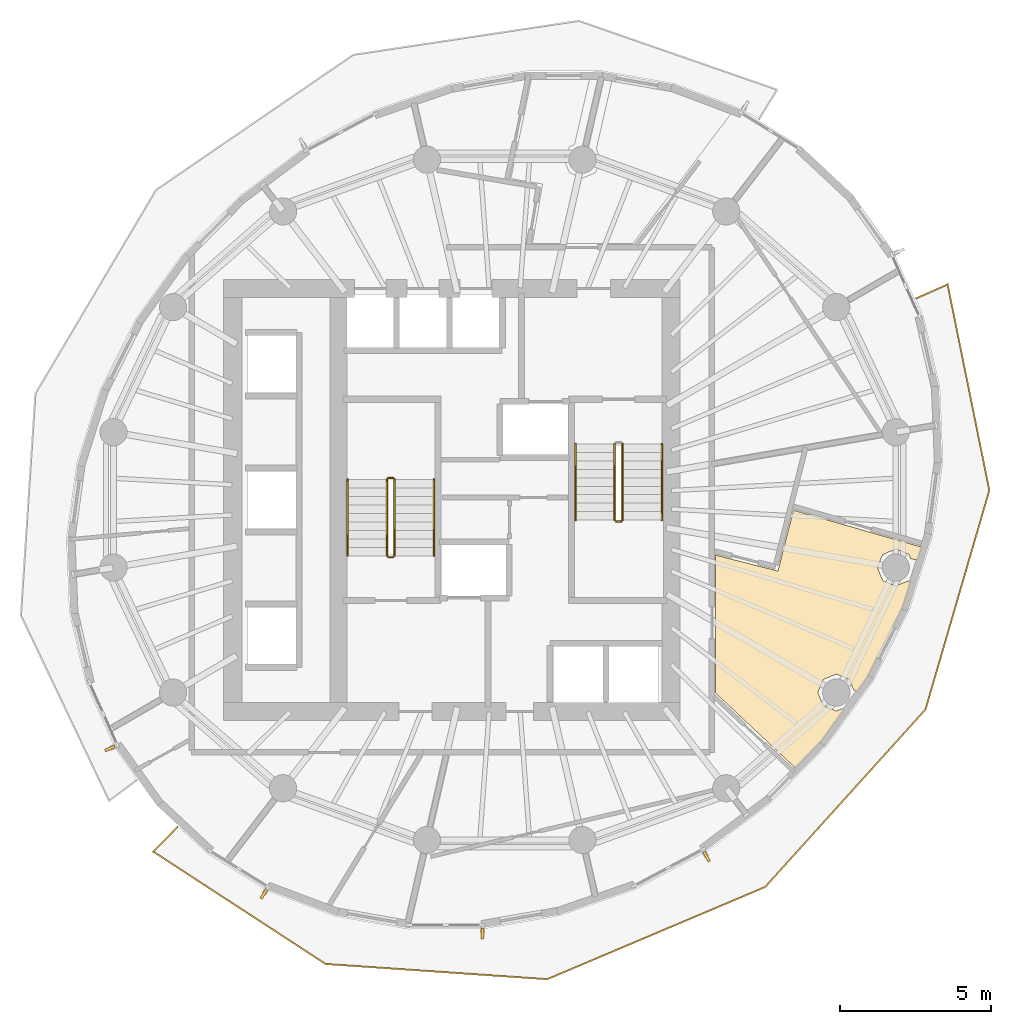
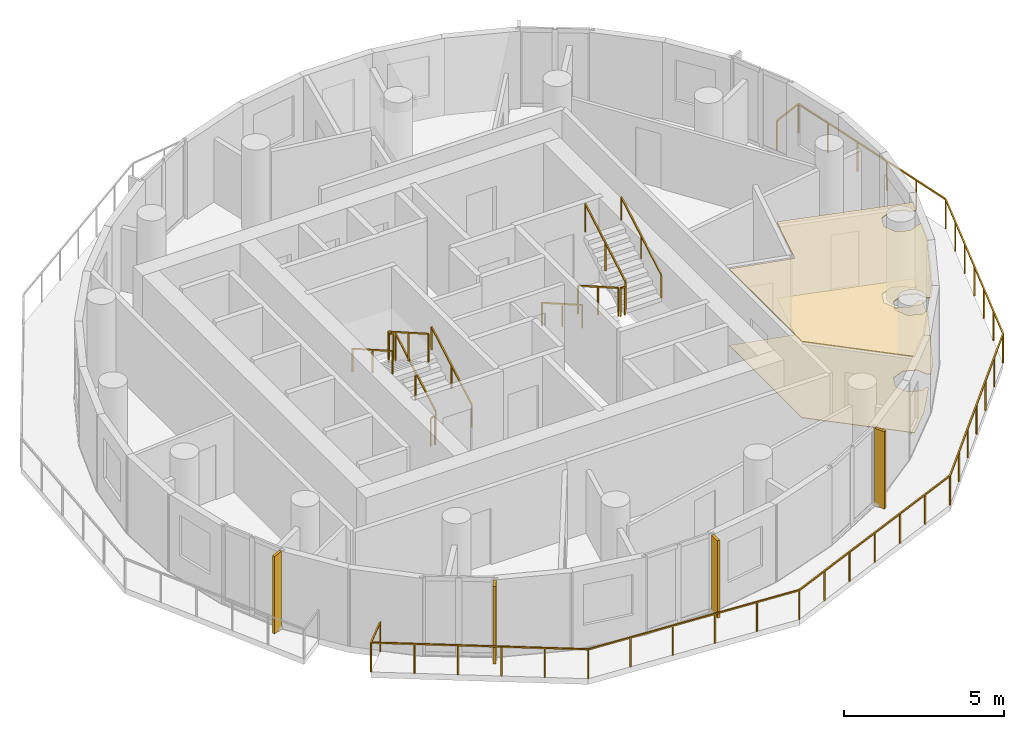
# One storey, part 8 of 10: 12 railings, 4 shading devices, 2 coverings.
"""IFC4 building model written with IfcOpenShell, lengths in metres."""

from ifc_helpers import new_model, si_unit, direction, frame, origin, origin_2d, place, context, subcontext, project, spatial, polyline, rectangle, outline, extrude, material, layer, layer_set, type_object, element, save


model = new_model("IFC4")

# Units and contexts
model_context = context("Model", 3, precision=1e-05, world=origin(), true_north=direction((0.0, 1.0)))
body_context = subcontext(model_context, "Body", "Model", "MODEL_VIEW")
ifc_project = project(units=[si_unit("LENGTHUNIT", "METRE"), si_unit("AREAUNIT", "SQUARE_METRE"), si_unit("VOLUMEUNIT", "CUBIC_METRE"), si_unit("PLANEANGLEUNIT", "RADIAN"), si_unit("MASSUNIT", "GRAM", prefix="KILO")], contexts=[model_context])

# Site, building, storey
site_placement = place(None, origin())
site = spatial("IfcSite", under=ifc_project, at=site_placement, CompositionType="ELEMENT")
building_placement = place(site_placement, origin())
building = spatial("IfcBuilding", under=site, at=building_placement, Name="Veldorim Arch Residences", CompositionType="ELEMENT")
storey_placement = place(building_placement, frame((0.0, 0.0, 166.239990234375)))
storey = spatial("IfcBuildingStorey", under=building, at=storey_placement, Name="L49", CompositionType="ELEMENT", Elevation=166.239990234375)

# Railings
ifc_material_1 = material(Name="Aluminium", Category="aluminium")
railing_type_1 = type_object("IfcRailingType", Name="Balcony & Terrace Laminated Glass Balustrade 1150", PredefinedType="BALUSTRADE", material=ifc_material_1)
railing_1_placement = place(storey_placement, frame((21.172607421875, 13.17724609375, 0.0)))
element("IfcRailing", 1, at=railing_1_placement, inside=storey, type_object=railing_type_1, Name="L49 crescent balcony safety balustrade B", PredefinedType="BALUSTRADE", context=body_context, shape_type="SweptSolid", body=[
    extrude(rectangle(XDim=0.048095703125, YDim=0.048095703125, at=origin_2d()), frame((0.0, 0.0, 1.1259765625), z_axis=(-0.700173288971, -0.713972944454, 0.0), x_axis=(0.713972944454, -0.700173288971, 0.0)), (0.0, 0.0, 1.0), 1.14990234375),
    extrude(rectangle(XDim=0.048095703125, YDim=0.048095703125, at=origin_2d()), frame((-0.80517578125, -0.821044921875, 1.1259765625), z_axis=(0.837688338332, -0.546148558382, 0.0), x_axis=(0.546148558382, 0.837688338332, 0.0)), (0.0, 0.0, 1.0), 6.80908203125),
    extrude(rectangle(XDim=0.048095703125, YDim=0.048095703125, at=origin_2d()), frame((4.898681640625, -4.539794921875, 1.1259765625), z_axis=(0.997644680332, -0.068593671764, 0.0), x_axis=(0.068593671764, 0.997644680332, 0.0)), (0.0, 0.0, 1.0), 7.35693359375),
    extrude(rectangle(XDim=0.048095703125, YDim=0.048095703125, at=origin_2d()), frame((12.23828125, -5.04443359375, 1.1259765625), z_axis=(0.920939712465, 0.389705075673, 0.0), x_axis=(-0.389705075673, 0.920939712465, 0.0)), (0.0, 0.0, 1.0), 7.83154296875),
    extrude(rectangle(XDim=0.048095703125, YDim=0.048095703125, at=origin_2d()), frame((19.45068359375, -1.992431640625, 1.1259765625), z_axis=(0.670326238201, 0.742066529618, 0.0), x_axis=(-0.742066529618, 0.670326238201, 0.0)), (0.0, 0.0, 1.0), 7.9189453125),
    extrude(rectangle(XDim=0.048095703125, YDim=0.048095703125, at=origin_2d()), frame((24.759033203125, 3.884033203125, 1.1259765625), z_axis=(0.279642617111, 0.960104164503, 0.0), x_axis=(-0.960104164503, 0.279642617111, 0.0)), (0.0, 0.0, 1.0), 7.555419921875),
    extrude(rectangle(XDim=0.048095703125, YDim=0.048095703125, at=origin_2d()), frame((26.871826171875, 11.137939453125, 1.1259765625), z_axis=(-0.198747614893, 0.980050705614, 0.0), x_axis=(-0.980050705614, -0.198747614893, 0.0)), (0.0, 0.0, 1.0), 6.956298828125),
    extrude(rectangle(XDim=0.048095703125, YDim=0.048095703125, at=origin_2d()), frame((25.4892578125, 17.95556640625, 1.1259765625), z_axis=(-0.913802793159, -0.406158165268, 0.0), x_axis=(0.406158165268, -0.913802793159, 0.0)), (0.0, 0.0, 1.0), 1.14990234375),
    extrude(rectangle(XDim=0.0419921875, YDim=0.0419921875, at=origin_2d()), origin(), (0.0, 0.0, 1.0), 1.101806640625),
    extrude(rectangle(XDim=0.0419921875, YDim=0.0419921875, at=origin_2d()), frame((-0.80517578125, -0.821044921875, 0.0)), (0.0, 0.0, 1.0), 1.101806640625),
    extrude(rectangle(XDim=0.0419921875, YDim=0.0419921875, at=origin_2d()), frame((0.335693359375, -1.564697265625, 0.0)), (0.0, 0.0, 1.0), 1.101806640625),
    extrude(rectangle(XDim=0.0419921875, YDim=0.0419921875, at=origin_2d()), frame((1.476318359375, -2.30859375, 0.0)), (0.0, 0.0, 1.0), 1.101806640625),
    extrude(rectangle(XDim=0.0419921875, YDim=0.0419921875, at=origin_2d()), frame((2.6171875, -3.05224609375, 0.0)), (0.0, 0.0, 1.0), 1.101806640625),
    extrude(rectangle(XDim=0.0419921875, YDim=0.0419921875, at=origin_2d()), frame((3.7578125, -3.796142578125, 0.0)), (0.0, 0.0, 1.0), 1.101806640625),
    extrude(rectangle(XDim=0.0419921875, YDim=0.0419921875, at=origin_2d()), frame((4.898681640625, -4.539794921875, 0.0)), (0.0, 0.0, 1.0), 1.101806640625),
    extrude(rectangle(XDim=0.0419921875, YDim=0.0419921875, at=origin_2d()), frame((6.36669921875, -4.640625, 0.0)), (0.0, 0.0, 1.0), 1.101806640625),
    extrude(rectangle(XDim=0.0419921875, YDim=0.0419921875, at=origin_2d()), frame((7.83447265625, -4.74169921875, 0.0)), (0.0, 0.0, 1.0), 1.101806640625),
    extrude(rectangle(XDim=0.0419921875, YDim=0.0419921875, at=origin_2d()), frame((9.302490234375, -4.842529296875, 0.0)), (0.0, 0.0, 1.0), 1.101806640625),
    extrude(rectangle(XDim=0.0419921875, YDim=0.0419921875, at=origin_2d()), frame((10.770263671875, -4.943603515625, 0.0)), (0.0, 0.0, 1.0), 1.101806640625),
    extrude(rectangle(XDim=0.0419921875, YDim=0.0419921875, at=origin_2d()), frame((12.23828125, -5.04443359375, 0.0)), (0.0, 0.0, 1.0), 1.101806640625),
    extrude(rectangle(XDim=0.0419921875, YDim=0.0419921875, at=origin_2d()), frame((13.4404296875, -4.53564453125, 0.0)), (0.0, 0.0, 1.0), 1.101806640625),
    extrude(rectangle(XDim=0.0419921875, YDim=0.0419921875, at=origin_2d()), frame((14.642333984375, -4.027099609375, 0.0)), (0.0, 0.0, 1.0), 1.101806640625),
    extrude(rectangle(XDim=0.0419921875, YDim=0.0419921875, at=origin_2d()), frame((15.844482421875, -3.5185546875, 0.0)), (0.0, 0.0, 1.0), 1.101806640625),
    extrude(rectangle(XDim=0.0419921875, YDim=0.0419921875, at=origin_2d()), frame((17.046630859375, -3.009765625, 0.0)), (0.0, 0.0, 1.0), 1.101806640625),
    extrude(rectangle(XDim=0.0419921875, YDim=0.0419921875, at=origin_2d()), frame((18.24853515625, -2.5009765625, 0.0)), (0.0, 0.0, 1.0), 1.101806640625),
    extrude(rectangle(XDim=0.0419921875, YDim=0.0419921875, at=origin_2d()), frame((19.45068359375, -1.992431640625, 0.0)), (0.0, 0.0, 1.0), 1.101806640625),
    extrude(rectangle(XDim=0.0419921875, YDim=0.0419921875, at=origin_2d()), frame((20.33544921875, -1.012939453125, 0.0)), (0.0, 0.0, 1.0), 1.101806640625),
    extrude(rectangle(XDim=0.0419921875, YDim=0.0419921875, at=origin_2d()), frame((21.22021484375, -0.03369140625, 0.0)), (0.0, 0.0, 1.0), 1.101806640625),
    extrude(rectangle(XDim=0.0419921875, YDim=0.0419921875, at=origin_2d()), frame((22.10498046875, 0.94580078125, 0.0)), (0.0, 0.0, 1.0), 1.101806640625),
    extrude(rectangle(XDim=0.0419921875, YDim=0.0419921875, at=origin_2d()), frame((22.989501953125, 1.92529296875, 0.0)), (0.0, 0.0, 1.0), 1.101806640625),
    extrude(rectangle(XDim=0.0419921875, YDim=0.0419921875, at=origin_2d()), frame((23.874267578125, 2.904541015625, 0.0)), (0.0, 0.0, 1.0), 1.101806640625),
    extrude(rectangle(XDim=0.0419921875, YDim=0.0419921875, at=origin_2d()), frame((24.759033203125, 3.884033203125, 0.0)), (0.0, 0.0, 1.0), 1.101806640625),
    extrude(rectangle(XDim=0.0419921875, YDim=0.0419921875, at=origin_2d()), frame((25.111083984375, 5.093017578125, 0.0)), (0.0, 0.0, 1.0), 1.101806640625),
    extrude(rectangle(XDim=0.0419921875, YDim=0.0419921875, at=origin_2d()), frame((25.46337890625, 6.302001953125, 0.0)), (0.0, 0.0, 1.0), 1.101806640625),
    extrude(rectangle(XDim=0.0419921875, YDim=0.0419921875, at=origin_2d()), frame((25.8154296875, 7.510986328125, 0.0)), (0.0, 0.0, 1.0), 1.101806640625),
    extrude(rectangle(XDim=0.0419921875, YDim=0.0419921875, at=origin_2d()), frame((26.16748046875, 8.719970703125, 0.0)), (0.0, 0.0, 1.0), 1.101806640625),
    extrude(rectangle(XDim=0.0419921875, YDim=0.0419921875, at=origin_2d()), frame((26.519775390625, 9.928955078125, 0.0)), (0.0, 0.0, 1.0), 1.101806640625),
    extrude(rectangle(XDim=0.0419921875, YDim=0.0419921875, at=origin_2d()), frame((26.871826171875, 11.137939453125, 0.0)), (0.0, 0.0, 1.0), 1.101806640625),
    extrude(rectangle(XDim=0.0419921875, YDim=0.0419921875, at=origin_2d()), frame((26.59521484375, 12.50146484375, 0.0)), (0.0, 0.0, 1.0), 1.101806640625),
    extrude(rectangle(XDim=0.0419921875, YDim=0.0419921875, at=origin_2d()), frame((26.31884765625, 13.864990234375, 0.0)), (0.0, 0.0, 1.0), 1.101806640625),
    extrude(rectangle(XDim=0.0419921875, YDim=0.0419921875, at=origin_2d()), frame((26.042236328125, 15.228515625, 0.0)), (0.0, 0.0, 1.0), 1.101806640625),
    extrude(rectangle(XDim=0.0419921875, YDim=0.0419921875, at=origin_2d()), frame((25.765869140625, 16.592041015625, 0.0)), (0.0, 0.0, 1.0), 1.101806640625),
    extrude(rectangle(XDim=0.0419921875, YDim=0.0419921875, at=origin_2d()), frame((25.4892578125, 17.95556640625, 0.0)), (0.0, 0.0, 1.0), 1.101806640625),
    extrude(rectangle(XDim=0.0419921875, YDim=0.0419921875, at=origin_2d()), frame((24.4384765625, 17.488525390625, 0.0)), (0.0, 0.0, 1.0), 1.101806640625),
])
ifc_material_2 = material(Name="Steel S355", Category="steel")
railing_type_2 = type_object("IfcRailingType", Name="Galvanised Steel Stair Safety Guardrail 1100", PredefinedType="GUARDRAIL", material=ifc_material_2)
railing_2_placement = place(storey_placement, frame((28.360107421875, 22.14990234375, 0.159912109375)))
element("IfcRailing", 2, at=railing_2_placement, inside=storey, type_object=railing_type_2, Name="L49 ST-1 stair guard 1", PredefinedType="GUARDRAIL", context=body_context, shape_type="SweptSolid", body=[
    extrude(rectangle(XDim=0.048095703125, YDim=0.048095703125, at=origin_2d()), frame((0.0, 0.0, 1.076171875), z_axis=(0.0, 0.868217259934, 0.496184229447), x_axis=(-1.0, 0.0, 0.0)), (0.0, 0.0, 1.0), 2.902587890625),
    extrude(rectangle(XDim=0.0419921875, YDim=0.0419921875, at=origin_2d()), origin(), (0.0, 0.0, 1.0), 1.052001953125),
    extrude(rectangle(XDim=0.0419921875, YDim=0.0419921875, at=origin_2d()), frame((0.0, 1.260009765625, 0.72021484375)), (0.0, 0.0, 1.0), 1.052001953125),
    extrude(rectangle(XDim=0.0419921875, YDim=0.0419921875, at=origin_2d()), frame((0.0, 2.52001953125, 1.440185546875)), (0.0, 0.0, 1.0), 1.052001953125),
])
railing_3_placement = place(storey_placement, frame((28.31005859375, 24.719970703125, 1.60009765625)))
element("IfcRailing", 3, at=railing_3_placement, inside=storey, type_object=railing_type_2, Name="L49 ST-1 stair guard 2", PredefinedType="GUARDRAIL", context=body_context, shape_type="SweptSolid", body=[
    extrude(rectangle(XDim=0.048095703125, YDim=0.048095703125, at=origin_2d()), frame((0.0, 0.0, 1.076171875), z_axis=(-1.0, 0.0, 0.0), x_axis=(0.0, -1.0, 0.0)), (0.0, 0.0, 1.0), 0.16015625),
    extrude(rectangle(XDim=0.0419921875, YDim=0.0419921875, at=origin_2d()), origin(), (0.0, 0.0, 1.0), 1.052001953125),
    extrude(rectangle(XDim=0.0419921875, YDim=0.0419921875, at=origin_2d()), frame((-0.16015625, 0.0, 0.0)), (0.0, 0.0, 1.0), 1.052001953125),
])
railing_4_placement = place(storey_placement, frame((28.10009765625, 24.669921875, 1.760009765625)))
element("IfcRailing", 4, at=railing_4_placement, inside=storey, type_object=railing_type_2, Name="L49 ST-1 stair guard 3", PredefinedType="GUARDRAIL", context=body_context, shape_type="SweptSolid", body=[
    extrude(rectangle(XDim=0.048095703125, YDim=0.048095703125, at=origin_2d()), frame((0.0, 0.0, 1.076171875), z_axis=(0.0, -0.868253494771, 0.496120820787), x_axis=(1.0, 0.0, 0.0)), (0.0, 0.0, 1.0), 2.90234375),
    extrude(rectangle(XDim=0.0419921875, YDim=0.0419921875, at=origin_2d()), origin(), (0.0, 0.0, 1.0), 1.052001953125),
    extrude(rectangle(XDim=0.0419921875, YDim=0.0419921875, at=origin_2d()), frame((0.0, -1.260009765625, 0.719970703125)), (0.0, 0.0, 1.0), 1.052001953125),
    extrude(rectangle(XDim=0.0419921875, YDim=0.0419921875, at=origin_2d()), frame((0.0, -2.52001953125, 1.43994140625)), (0.0, 0.0, 1.0), 1.052001953125),
])
railing_5_placement = place(storey_placement, frame((28.31005859375, 22.10009765625, 0.0)))
element("IfcRailing", 5, at=railing_5_placement, inside=storey, type_object=railing_type_2, Name="L49 ST-1 stair guard 4", PredefinedType="GUARDRAIL", context=body_context, shape_type="SweptSolid", body=[
    extrude(rectangle(XDim=0.048095703125, YDim=0.048095703125, at=origin_2d()), frame((0.0, 0.0, 1.076171875), z_axis=(-1.0, 0.0, 0.0), x_axis=(0.0, -1.0, 0.0)), (0.0, 0.0, 1.0), 0.16015625),
    extrude(rectangle(XDim=0.0419921875, YDim=0.0419921875, at=origin_2d()), origin(), (0.0, 0.0, 1.0), 1.052001953125),
    extrude(rectangle(XDim=0.0419921875, YDim=0.0419921875, at=origin_2d()), frame((-0.16015625, 0.0, 0.0)), (0.0, 0.0, 1.0), 1.052001953125),
])
railing_6_placement = place(storey_placement, frame((35.639892578125, 25.85009765625, 0.159912109375)))
element("IfcRailing", 6, at=railing_6_placement, inside=storey, type_object=railing_type_2, Name="L49 ST-2 stair guard 1", PredefinedType="GUARDRAIL", context=body_context, shape_type="SweptSolid", body=[
    extrude(rectangle(XDim=0.048095703125, YDim=0.048095703125, at=origin_2d()), frame((0.0, 0.0, 1.076171875), z_axis=(0.0, -0.868217259934, 0.496184229447), x_axis=(1.0, 0.0, 0.0)), (0.0, 0.0, 1.0), 2.902587890625),
    extrude(rectangle(XDim=0.0419921875, YDim=0.0419921875, at=origin_2d()), origin(), (0.0, 0.0, 1.0), 1.052001953125),
    extrude(rectangle(XDim=0.0419921875, YDim=0.0419921875, at=origin_2d()), frame((0.0, -1.260009765625, 0.72021484375)), (0.0, 0.0, 1.0), 1.052001953125),
    extrude(rectangle(XDim=0.0419921875, YDim=0.0419921875, at=origin_2d()), frame((0.0, -2.52001953125, 1.440185546875)), (0.0, 0.0, 1.0), 1.052001953125),
])
railing_7_placement = place(storey_placement, frame((35.68994140625, 23.280029296875, 1.60009765625)))
element("IfcRailing", 7, at=railing_7_placement, inside=storey, type_object=railing_type_2, Name="L49 ST-2 stair guard 2", PredefinedType="GUARDRAIL", context=body_context, shape_type="SweptSolid", body=[
    extrude(rectangle(XDim=0.048095703125, YDim=0.048095703125, at=origin_2d()), frame((0.0, 0.0, 1.076171875), z_axis=(1.0, 0.0, 0.0), x_axis=(0.0, 1.0, 0.0)), (0.0, 0.0, 1.0), 0.16015625),
    extrude(rectangle(XDim=0.0419921875, YDim=0.0419921875, at=origin_2d()), origin(), (0.0, 0.0, 1.0), 1.052001953125),
    extrude(rectangle(XDim=0.0419921875, YDim=0.0419921875, at=origin_2d()), frame((0.16015625, 0.0, 0.0)), (0.0, 0.0, 1.0), 1.052001953125),
])
railing_8_placement = place(storey_placement, frame((35.89990234375, 23.330078125, 1.760009765625)))
element("IfcRailing", 8, at=railing_8_placement, inside=storey, type_object=railing_type_2, Name="L49 ST-2 stair guard 3", PredefinedType="GUARDRAIL", context=body_context, shape_type="SweptSolid", body=[
    extrude(rectangle(XDim=0.048095703125, YDim=0.048095703125, at=origin_2d()), frame((0.0, 0.0, 1.076171875), z_axis=(0.0, 0.868253494771, 0.496120820787), x_axis=(-1.0, 0.0, 0.0)), (0.0, 0.0, 1.0), 2.90234375),
    extrude(rectangle(XDim=0.0419921875, YDim=0.0419921875, at=origin_2d()), origin(), (0.0, 0.0, 1.0), 1.052001953125),
    extrude(rectangle(XDim=0.0419921875, YDim=0.0419921875, at=origin_2d()), frame((0.0, 1.260009765625, 0.719970703125)), (0.0, 0.0, 1.0), 1.052001953125),
    extrude(rectangle(XDim=0.0419921875, YDim=0.0419921875, at=origin_2d()), frame((0.0, 2.52001953125, 1.43994140625)), (0.0, 0.0, 1.0), 1.052001953125),
])

# Coverings
ifc_material_3 = material(Name="Acoustic Gypsum & Mineral Fibre", Category="gypsum")
ifc_layer_1 = layer(ifc_material_3, 0.034912109375, Name="Perforated Acoustic Mineral-Fibre Ceiling 35")
ifc_layer_set_1 = layer_set([ifc_layer_1], Name="Acoustic Gypsum & Mineral Fibre")
covering_type_1 = type_object("IfcCoveringType", Name="Perforated Acoustic Mineral-Fibre Ceiling 35", PredefinedType="CEILING", material=ifc_layer_set_1)
covering_1_placement = place(storey_placement, frame((0.0, 0.0, 2.905029296875)))
element("IfcCovering", 9, at=covering_1_placement, inside=storey, type_object=covering_type_1, Name="L49 acoustic suspended ceiling 01", PredefinedType="CEILING", context=body_context, shape_type="SweptSolid", body=[
    extrude(outline(polyline([(45.447265625, 21.30078125), (45.17333984375, 20.432373046875), (44.011474609375, 18.129150390625), (43.664306640625, 17.646728515625), (43.546875, 17.715087890625), (43.40673828125, 18.053466796875), (42.975341796875, 18.23193359375), (42.544189453125, 18.053466796875), (42.365478515625, 17.6220703125), (42.544189453125, 17.19091796875), (42.975341796875, 17.01220703125), (43.1611328125, 17.089111328125), (43.233154296875, 17.047119140625), (42.48291015625, 16.004150390625), (41.620361328125, 15.126220703125), (38.97998046875, 17.606689453125), (38.97998046875, 22.169921875), (41.044921875, 21.6435546875), (41.557861328125, 23.655517578125), (45.80517578125, 22.43505859375), (45.67041015625, 22.008056640625), (45.43701171875, 22.048583984375), (45.377685546875, 22.191650390625), (44.9462890625, 22.370361328125), (44.51513671875, 22.191650390625), (44.33642578125, 21.760498046875), (44.51513671875, 21.3291015625), (44.9462890625, 21.150390625), (45.349853515625, 21.317626953125), (45.447265625, 21.30078125)])), origin(), (0.0, 0.0, 1.0), 0.034912109375),
])
ifc_material_4 = material(Name="Porcelain Ceramic Tile", Category="ceramic")
ifc_layer_2 = layer(ifc_material_4, 0.02001953125, Name="Slip-Resistant Porcelain & Vinyl Floor Finish 20")
ifc_layer_set_2 = layer_set([ifc_layer_2], Name="Porcelain Ceramic Tile")
covering_type_2 = type_object("IfcCoveringType", Name="Slip-Resistant Porcelain & Vinyl Floor Finish 20", PredefinedType="FLOORING", material=ifc_layer_set_2)
covering_2_placement = place(storey_placement, origin())
element("IfcCovering", 10, at=covering_2_placement, inside=storey, type_object=covering_type_2, Name="L49 porcelain floor finish 01", PredefinedType="FLOORING", context=body_context, shape_type="SweptSolid", body=[
    extrude(outline(polyline([(45.447265625, 21.30078125), (45.17333984375, 20.432373046875), (44.011474609375, 18.129150390625), (43.664306640625, 17.646728515625), (43.546875, 17.715087890625), (43.40673828125, 18.053466796875), (42.975341796875, 18.23193359375), (42.544189453125, 18.053466796875), (42.365478515625, 17.6220703125), (42.544189453125, 17.19091796875), (42.975341796875, 17.01220703125), (43.1611328125, 17.089111328125), (43.233154296875, 17.047119140625), (42.48291015625, 16.004150390625), (41.620361328125, 15.126220703125), (38.97998046875, 17.606689453125), (38.97998046875, 22.169921875), (41.044921875, 21.6435546875), (41.557861328125, 23.655517578125), (45.80517578125, 22.43505859375), (45.67041015625, 22.008056640625), (45.43701171875, 22.048583984375), (45.377685546875, 22.191650390625), (44.9462890625, 22.370361328125), (44.51513671875, 22.191650390625), (44.33642578125, 21.760498046875), (44.51513671875, 21.3291015625), (44.9462890625, 21.150390625), (45.349853515625, 21.317626953125), (45.447265625, 21.30078125)])), origin(), (0.0, 0.0, 1.0), 0.02001953125),
])

# Railings
ifc_material_5 = material(Name="Stainless Steel", Category="steel")
railing_type_3 = type_object("IfcRailingType", Name="Tubular Steel Continuous Wall Handrail 900", PredefinedType="HANDRAIL", material=ifc_material_5)
railing_9_placement = place(storey_placement, frame((29.659912109375, 22.14990234375, 0.159912109375)))
element("IfcRailing", 11, at=railing_9_placement, inside=storey, type_object=railing_type_3, Name="L49 ST-1 stair handrail 1", PredefinedType="HANDRAIL", context=body_context, shape_type="SweptSolid", body=[
    extrude(rectangle(XDim=0.048095703125, YDim=0.048095703125, at=origin_2d()), frame((0.0, 0.0, 0.8759765625), z_axis=(0.0, 0.868217259934, 0.496184229447), x_axis=(-1.0, 0.0, 0.0)), (0.0, 0.0, 1.0), 2.902587890625),
    extrude(rectangle(XDim=0.0419921875, YDim=0.0419921875, at=origin_2d()), origin(), (0.0, 0.0, 1.0), 0.851806640625),
    extrude(rectangle(XDim=0.0419921875, YDim=0.0419921875, at=origin_2d()), frame((0.0, 1.260009765625, 0.72021484375)), (0.0, 0.0, 1.0), 0.851806640625),
    extrude(rectangle(XDim=0.0419921875, YDim=0.0419921875, at=origin_2d()), frame((0.0, 2.52001953125, 1.440185546875)), (0.0, 0.0, 1.0), 0.851806640625),
])
railing_10_placement = place(storey_placement, frame((26.800048828125, 24.669921875, 1.760009765625)))
element("IfcRailing", 12, at=railing_10_placement, inside=storey, type_object=railing_type_3, Name="L49 ST-1 stair handrail 2", PredefinedType="HANDRAIL", context=body_context, shape_type="SweptSolid", body=[
    extrude(rectangle(XDim=0.048095703125, YDim=0.048095703125, at=origin_2d()), frame((0.0, 0.0, 0.8759765625), z_axis=(0.0, -0.868253494771, 0.496120820787), x_axis=(1.0, 0.0, 0.0)), (0.0, 0.0, 1.0), 2.90234375),
    extrude(rectangle(XDim=0.0419921875, YDim=0.0419921875, at=origin_2d()), origin(), (0.0, 0.0, 1.0), 0.851806640625),
    extrude(rectangle(XDim=0.0419921875, YDim=0.0419921875, at=origin_2d()), frame((0.0, -1.260009765625, 0.719970703125)), (0.0, 0.0, 1.0), 0.851806640625),
    extrude(rectangle(XDim=0.0419921875, YDim=0.0419921875, at=origin_2d()), frame((0.0, -2.52001953125, 1.43994140625)), (0.0, 0.0, 1.0), 0.851806640625),
])
railing_11_placement = place(storey_placement, frame((34.340087890625, 25.85009765625, 0.159912109375)))
element("IfcRailing", 13, at=railing_11_placement, inside=storey, type_object=railing_type_3, Name="L49 ST-2 stair handrail 1", PredefinedType="HANDRAIL", context=body_context, shape_type="SweptSolid", body=[
    extrude(rectangle(XDim=0.048095703125, YDim=0.048095703125, at=origin_2d()), frame((0.0, 0.0, 0.8759765625), z_axis=(0.0, -0.868217259934, 0.496184229447), x_axis=(1.0, 0.0, 0.0)), (0.0, 0.0, 1.0), 2.902587890625),
    extrude(rectangle(XDim=0.0419921875, YDim=0.0419921875, at=origin_2d()), origin(), (0.0, 0.0, 1.0), 0.851806640625),
    extrude(rectangle(XDim=0.0419921875, YDim=0.0419921875, at=origin_2d()), frame((0.0, -1.260009765625, 0.72021484375)), (0.0, 0.0, 1.0), 0.851806640625),
    extrude(rectangle(XDim=0.0419921875, YDim=0.0419921875, at=origin_2d()), frame((0.0, -2.52001953125, 1.440185546875)), (0.0, 0.0, 1.0), 0.851806640625),
])
railing_12_placement = place(storey_placement, frame((37.199951171875, 23.330078125, 1.760009765625)))
element("IfcRailing", 14, at=railing_12_placement, inside=storey, type_object=railing_type_3, Name="L49 ST-2 stair handrail 2", PredefinedType="HANDRAIL", context=body_context, shape_type="SweptSolid", body=[
    extrude(rectangle(XDim=0.048095703125, YDim=0.048095703125, at=origin_2d()), frame((0.0, 0.0, 0.8759765625), z_axis=(0.0, 0.868253494771, 0.496120820787), x_axis=(-1.0, 0.0, 0.0)), (0.0, 0.0, 1.0), 2.90234375),
    extrude(rectangle(XDim=0.0419921875, YDim=0.0419921875, at=origin_2d()), origin(), (0.0, 0.0, 1.0), 0.851806640625),
    extrude(rectangle(XDim=0.0419921875, YDim=0.0419921875, at=origin_2d()), frame((0.0, 1.260009765625, 0.719970703125)), (0.0, 0.0, 1.0), 0.851806640625),
    extrude(rectangle(XDim=0.0419921875, YDim=0.0419921875, at=origin_2d()), frame((0.0, 2.52001953125, 1.43994140625)), (0.0, 0.0, 1.0), 0.851806640625),
])

# Shading devices
ifc_material_6 = material(Name="Terracotta Ceramic", Category="masonry")
ifc_layer_3 = layer(ifc_material_6, 0.090087890625, Name="Vertical Extruded Terracotta Baguette Sun-Shading Fin")
ifc_layer_set_3 = layer_set([ifc_layer_3], Name="Terracotta Ceramic")
shading_device_type = type_object("IfcShadingDeviceType", Name="Vertical Extruded Terracotta Baguette Sun-Shading Fin", PredefinedType="USERDEFINED", material=ifc_layer_set_3)
for number, where, z_axis, x_axis, name in (
    (15, (18.93701171875, 15.771484375, 0.0), (0.0, 0.0, 1.0), (-0.407214918582, 0.913332365617, 0.0), "L49 vertical terracotta sun-shading fin 17"),
    (16, (24.0322265625, 10.959716796875, 0.0), (0.0, 0.0, 1.0), (-0.850719384362, 0.52562013762, 0.0), "L49 vertical terracotta sun-shading fin 20"),
    (17, (31.264892578125, 9.654052734375, 0.0), (0.0, 0.0, 1.0), (-0.999996573056, -0.002617990887, 0.0), "L49 vertical terracotta sun-shading fin 23"),
    (18, (38.683349609375, 12.194580078125, 0.0), (0.0, 0.0, 1.0), (-0.882537565484, -0.470241901057, 0.0), "L49 vertical terracotta sun-shading fin 26"),
):
    element("IfcShadingDevice", number, at=place(storey_placement, frame(where, z_axis=z_axis, x_axis=x_axis)), inside=storey, type_object=shading_device_type, Name=name, ObjectType="FIN", PredefinedType="USERDEFINED", context=body_context, shape_type="SweptSolid", body=[
        extrude(rectangle(XDim=0.090087890625, YDim=0.360107421875, at=origin_2d()), origin(), (0.0, 0.0, 1.0), 2.9599609375),
    ])

save(model, "model.ifc")
